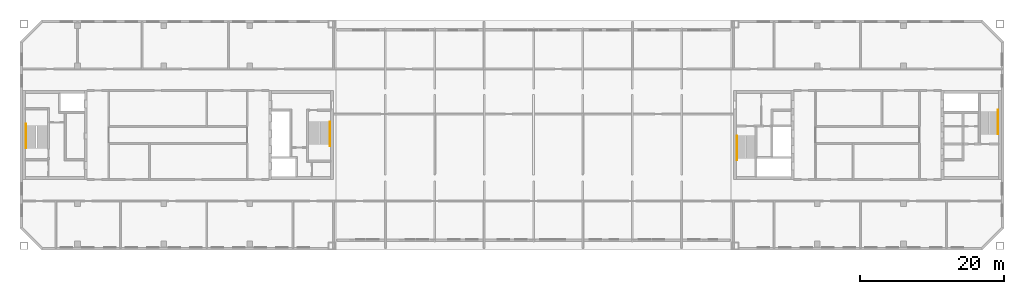
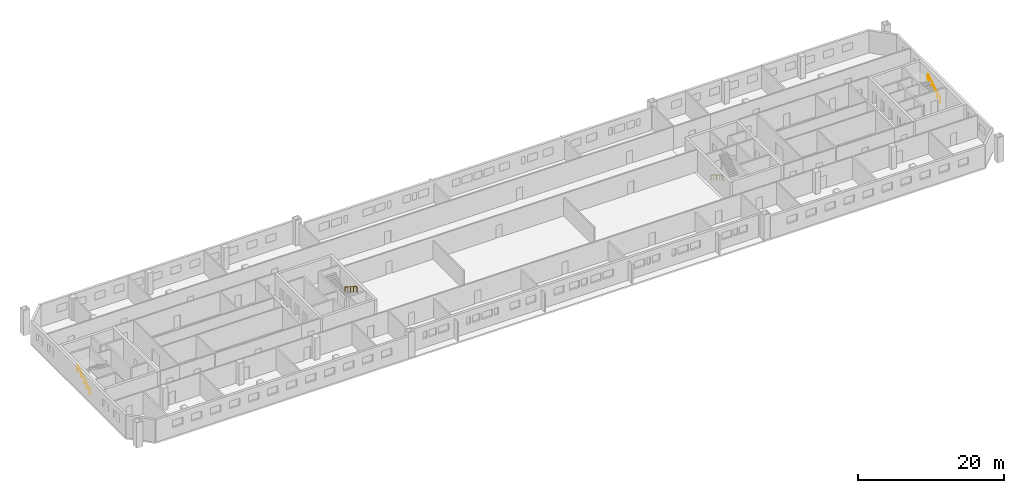
# One storey, part 13 of 13: 4 railings.
"""IFC4 building model written with IfcOpenShell, lengths in metres."""

from ifc_helpers import new_model, si_unit, direction, frame, origin, origin_2d, place, context, subcontext, project, spatial, circle, extrude, material, type_object, element, save


model = new_model("IFC4")

# Units and contexts
model_context = context("Model", 3, precision=1e-05, world=origin(), true_north=direction((0.0, 1.0)))
body_context = subcontext(model_context, "Body", "Model", "MODEL_VIEW")
ifc_project = project(units=[si_unit("LENGTHUNIT", "METRE"), si_unit("AREAUNIT", "SQUARE_METRE"), si_unit("VOLUMEUNIT", "CUBIC_METRE"), si_unit("PLANEANGLEUNIT", "RADIAN"), si_unit("MASSUNIT", "GRAM", prefix="KILO")], contexts=[model_context])

# Site, building, storey
site_placement = place(None, origin())
site = spatial("IfcSite", under=ifc_project, at=site_placement, CompositionType="ELEMENT")
building_placement = place(site_placement, origin())
building = spatial("IfcBuilding", under=site, at=building_placement, Name="Tuart Gate Housing", CompositionType="ELEMENT")
storey_placement = place(building_placement, frame((0.0, 0.0, 198.60009765625)))
storey = spatial("IfcBuildingStorey", under=building, at=storey_placement, Name="L56", CompositionType="ELEMENT", Elevation=198.60009765625)

# Railings
ifc_material = material(Name="Stainless steel", Category="steel")
railing_type = type_object("IfcRailingType", Name="Stair handrail 900", PredefinedType="HANDRAIL", material=ifc_material)
railing_1_placement = place(storey_placement, frame((75.179931640625, 71.824951171875, 0.1748046875)))
element("IfcRailing", 1, at=railing_1_placement, inside=storey, type_object=railing_type, Name="Stair handrail SA1.1", PredefinedType="HANDRAIL", context=body_context, shape_type="SweptSolid", body=[
    extrude(circle(Radius=0.02392578125, at=origin_2d()), frame((0.0, 0.0, 0.8759765625), z_axis=(0.0, -0.847979421464, 0.530029150871), x_axis=(1.0, 0.0, 0.0)), (0.0, 0.0, 1.0), 3.632080078125),
    extrude(circle(Radius=0.02392578125, at=origin_2d()), frame((0.0, -3.079833984375, 2.80078125), z_axis=(0.0, -1.0, 0.0), x_axis=(1.0, 0.0, 0.0)), (0.0, 0.0, 1.0), 0.300048828125),
    extrude(circle(Radius=0.02099609375, at=origin_2d()), origin(), (0.0, 0.0, 1.0), 0.851806640625),
    extrude(circle(Radius=0.02099609375, at=origin_2d()), frame((0.0, -0.77001953125, 0.481201171875)), (0.0, 0.0, 1.0), 0.851806640625),
    extrude(circle(Radius=0.02099609375, at=origin_2d()), frame((0.0, -1.5400390625, 0.96240234375)), (0.0, 0.0, 1.0), 0.851806640625),
    extrude(circle(Radius=0.02099609375, at=origin_2d()), frame((0.0, -2.309814453125, 1.44384765625)), (0.0, 0.0, 1.0), 0.851806640625),
    extrude(circle(Radius=0.02099609375, at=origin_2d()), frame((0.0, -3.079833984375, 1.925048828125)), (0.0, 0.0, 1.0), 0.851806640625),
    extrude(circle(Radius=0.02099609375, at=origin_2d()), frame((0.0, -3.3798828125, 1.925048828125)), (0.0, 0.0, 1.0), 0.851806640625),
])
railing_2_placement = place(storey_placement, frame((32.820068359375, 68.175048828125, 0.1748046875)))
element("IfcRailing", 2, at=railing_2_placement, inside=storey, type_object=railing_type, Name="Stair handrail SA2.1", PredefinedType="HANDRAIL", context=body_context, shape_type="SweptSolid", body=[
    extrude(circle(Radius=0.02392578125, at=origin_2d()), frame((0.0, 0.0, 0.8759765625), z_axis=(0.0, 0.847979421464, 0.530029150871), x_axis=(-1.0, 0.0, 0.0)), (0.0, 0.0, 1.0), 3.632080078125),
    extrude(circle(Radius=0.02392578125, at=origin_2d()), frame((0.0, 3.079833984375, 2.80078125), z_axis=(0.0, 1.0, 0.0), x_axis=(-1.0, 0.0, 0.0)), (0.0, 0.0, 1.0), 0.300048828125),
    extrude(circle(Radius=0.02099609375, at=origin_2d()), origin(), (0.0, 0.0, 1.0), 0.851806640625),
    extrude(circle(Radius=0.02099609375, at=origin_2d()), frame((0.0, 0.77001953125, 0.481201171875)), (0.0, 0.0, 1.0), 0.851806640625),
    extrude(circle(Radius=0.02099609375, at=origin_2d()), frame((0.0, 1.5400390625, 0.96240234375)), (0.0, 0.0, 1.0), 0.851806640625),
    extrude(circle(Radius=0.02099609375, at=origin_2d()), frame((0.0, 2.309814453125, 1.44384765625)), (0.0, 0.0, 1.0), 0.851806640625),
    extrude(circle(Radius=0.02099609375, at=origin_2d()), frame((0.0, 3.079833984375, 1.925048828125)), (0.0, 0.0, 1.0), 0.851806640625),
    extrude(circle(Radius=0.02099609375, at=origin_2d()), frame((0.0, 3.3798828125, 1.925048828125)), (0.0, 0.0, 1.0), 0.851806640625),
])
railing_3_placement = place(storey_placement, frame((131.820068359375, 69.875, 0.1748046875)))
element("IfcRailing", 3, at=railing_3_placement, inside=storey, type_object=railing_type, Name="Stair handrail SB1.1", PredefinedType="HANDRAIL", context=body_context, shape_type="SweptSolid", body=[
    extrude(circle(Radius=0.02392578125, at=origin_2d()), frame((0.0, 0.0, 0.8759765625), z_axis=(0.0, -0.847998304005, 0.529998940003), x_axis=(1.0, 0.0, 0.0)), (0.0, 0.0, 1.0), 3.632080078125),
    extrude(circle(Radius=0.02392578125, at=origin_2d()), frame((0.0, -3.080078125, 2.80078125), z_axis=(0.0, -1.0, 0.0), x_axis=(1.0, 0.0, 0.0)), (0.0, 0.0, 1.0), 0.2998046875),
    extrude(circle(Radius=0.02099609375, at=origin_2d()), origin(), (0.0, 0.0, 1.0), 0.851806640625),
    extrude(circle(Radius=0.02099609375, at=origin_2d()), frame((0.0, -0.77001953125, 0.481201171875)), (0.0, 0.0, 1.0), 0.851806640625),
    extrude(circle(Radius=0.02099609375, at=origin_2d()), frame((0.0, -1.5400390625, 0.96240234375)), (0.0, 0.0, 1.0), 0.851806640625),
    extrude(circle(Radius=0.02099609375, at=origin_2d()), frame((0.0, -2.31005859375, 1.44384765625)), (0.0, 0.0, 1.0), 0.851806640625),
    extrude(circle(Radius=0.02099609375, at=origin_2d()), frame((0.0, -3.080078125, 1.925048828125)), (0.0, 0.0, 1.0), 0.851806640625),
    extrude(circle(Radius=0.02099609375, at=origin_2d()), frame((0.0, -3.3798828125, 1.925048828125)), (0.0, 0.0, 1.0), 0.851806640625),
])
railing_4_placement = place(storey_placement, frame((168.179931640625, 70.125, 0.1748046875)))
element("IfcRailing", 4, at=railing_4_placement, inside=storey, type_object=railing_type, Name="Stair handrail SB2.1", PredefinedType="HANDRAIL", context=body_context, shape_type="SweptSolid", body=[
    extrude(circle(Radius=0.02392578125, at=origin_2d()), frame((0.0, 0.0, 0.8759765625), z_axis=(0.0, 0.847998304005, 0.529998940003), x_axis=(-1.0, 0.0, 0.0)), (0.0, 0.0, 1.0), 3.632080078125),
    extrude(circle(Radius=0.02392578125, at=origin_2d()), frame((0.0, 3.080078125, 2.80078125), z_axis=(0.0, 1.0, 0.0), x_axis=(-1.0, 0.0, 0.0)), (0.0, 0.0, 1.0), 0.2998046875),
    extrude(circle(Radius=0.02099609375, at=origin_2d()), origin(), (0.0, 0.0, 1.0), 0.851806640625),
    extrude(circle(Radius=0.02099609375, at=origin_2d()), frame((0.0, 0.77001953125, 0.481201171875)), (0.0, 0.0, 1.0), 0.851806640625),
    extrude(circle(Radius=0.02099609375, at=origin_2d()), frame((0.0, 1.5400390625, 0.96240234375)), (0.0, 0.0, 1.0), 0.851806640625),
    extrude(circle(Radius=0.02099609375, at=origin_2d()), frame((0.0, 2.31005859375, 1.44384765625)), (0.0, 0.0, 1.0), 0.851806640625),
    extrude(circle(Radius=0.02099609375, at=origin_2d()), frame((0.0, 3.080078125, 1.925048828125)), (0.0, 0.0, 1.0), 0.851806640625),
    extrude(circle(Radius=0.02099609375, at=origin_2d()), frame((0.0, 3.3798828125, 1.925048828125)), (0.0, 0.0, 1.0), 0.851806640625),
])

save(model, "model.ifc")
